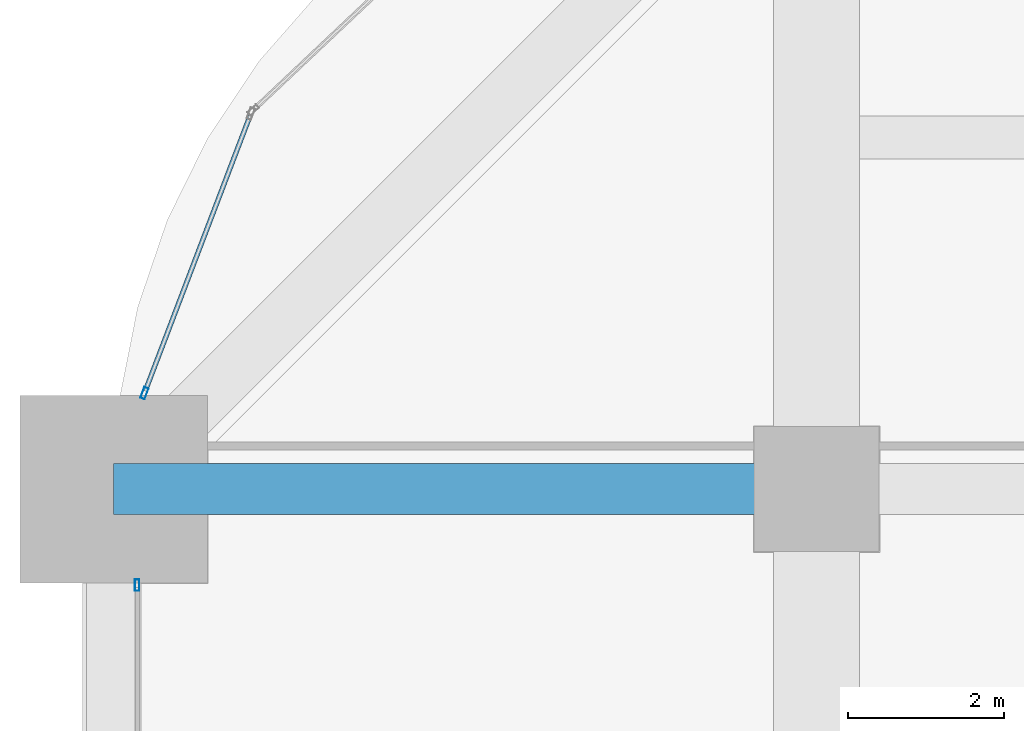
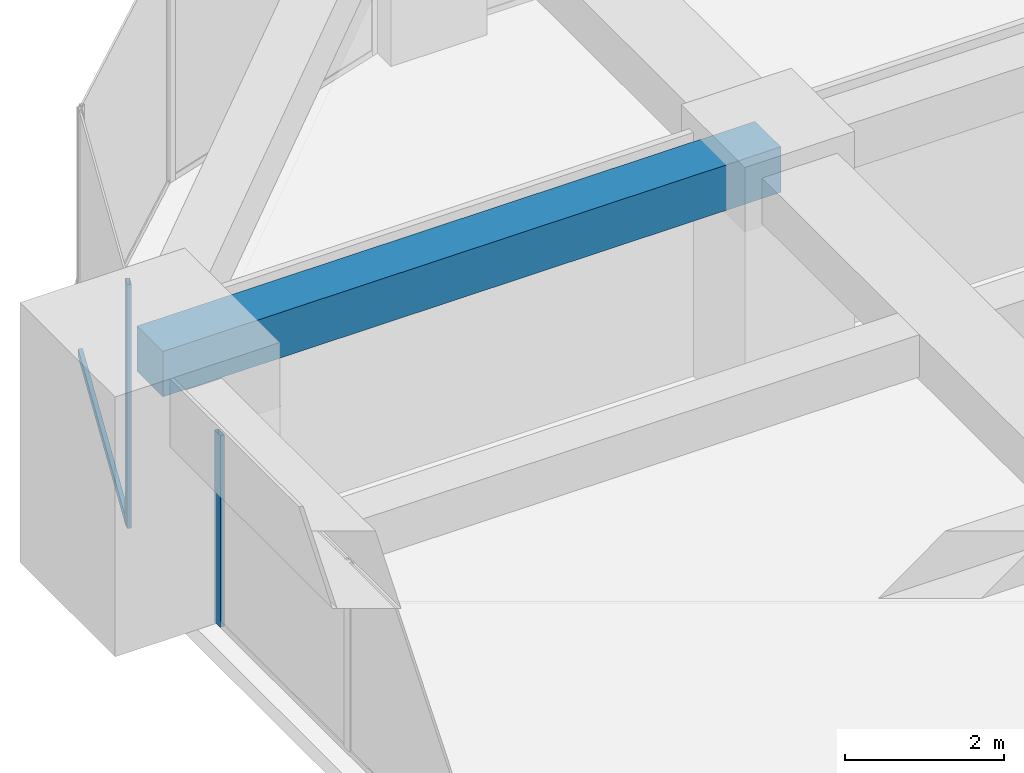
# One storey, part 20 of 34: 3 members, 1 beam, 2 elements without a shape of their own.
"""IFC4 building model written with IfcOpenShell, lengths in metres."""

import ifcopenshell
import ifcopenshell.guid

model = None  # the IFC model being written
_history = None  # IfcOwnerHistory: only IFC2X3 demands one
_inside = {}  # id of a spatial element -> (the spatial element, [elements in it])
_under = {}  # id of a project, library or spatial element -> (it, [spatial elements below it])
_declared = {}  # id of a project -> (the project, [libraries it declares])
_typed = {}  # id of a type object -> (the type object, [elements of that type])
_made_of = {}  # id of a material, layer set ... -> (it, [elements and type objects made of it])


def new_model(schema):
    """Start an empty IFC model of exactly this schema.

    Asked for "IFC4X3", IfcOpenShell would pick the latest addendum, in which some entities
    have other attributes; the version numbers below select the first issue.
    IFC2X3 requires an IfcOwnerHistory on every rooted entity: one is made here for all.
    """
    global model, _history
    if schema == "IFC4X3":
        model = ifcopenshell.file(schema_version=(4, 3, 0, 0))
    else:
        model = ifcopenshell.file(schema=schema)
    _inside.clear()
    _under.clear()
    _declared.clear()
    _typed.clear()
    _made_of.clear()
    _history = None
    if model.schema == "IFC2X3":
        org = make("IfcOrganization", Name="unknown")
        user = make(
            "IfcPersonAndOrganization",
            ThePerson=make("IfcPerson", FamilyName="unknown"),
            TheOrganization=org,
        )
        app = make(
            "IfcApplication",
            ApplicationDeveloper=org,
            Version="unknown",
            ApplicationFullName="unknown",
            ApplicationIdentifier="unknown",
        )
        _history = make(
            "IfcOwnerHistory",
            OwningUser=user,
            OwningApplication=app,
            ChangeAction="ADDED",
            CreationDate=0,
        )
    return model


def make(cls, **values):
    """One entity of the class cls with the attributes given. An attribute that is None is left unset."""
    return model.create_entity(
        cls, **{name: value for name, value in values.items() if value is not None}
    )


def rooted(cls, **values):
    """An entity with a GlobalId (a new one), such as an element, a storey or a relation."""
    return make(cls, GlobalId=ifcopenshell.guid.new(), OwnerHistory=_history, **values)


def si_unit(unit_type, name, prefix=None):
    """IfcSIUnit, for example si_unit("LENGTHUNIT", "METRE", prefix="MILLI")."""
    return make("IfcSIUnit", UnitType=unit_type, Prefix=prefix, Name=name)


def assignment(units):
    """IfcUnitAssignment: the units of a project."""
    return None if units is None else make("IfcUnitAssignment", Units=units)


def point(xyz):
    """IfcCartesianPoint."""
    return None if xyz is None else make("IfcCartesianPoint", Coordinates=xyz)


def direction(xyz):
    """IfcDirection."""
    return None if xyz is None else make("IfcDirection", DirectionRatios=xyz)


def frame(location, z_axis=None, x_axis=None):
    """IfcAxis2Placement3D, a coordinate frame: its origin and axes. An axis left out is left unset."""
    return make(
        "IfcAxis2Placement3D",
        Location=point(location),
        Axis=direction(z_axis),
        RefDirection=direction(x_axis),
    )


def frame_2d(location, x_axis=None):
    """IfcAxis2Placement2D, a coordinate frame in the plane: its origin and x axis."""
    return make(
        "IfcAxis2Placement2D", Location=point(location), RefDirection=direction(x_axis)
    )


def origin():
    """The frame at (0, 0, 0) with its axes left unset."""
    return frame((0.0, 0.0, 0.0))


def origin_2d():
    """The frame at (0, 0) in the plane with its x axis left unset."""
    return frame_2d((0.0, 0.0))


def place(relative_to, where):
    """IfcLocalPlacement: puts the frame where relative to a parent placement (None: the world)."""
    return make(
        "IfcLocalPlacement", PlacementRelTo=relative_to, RelativePlacement=where
    )


def context(
    kind, dimensions, precision=None, world=None, true_north=None, identifier=None
):
    """IfcGeometricRepresentationContext, for example the 3D "Model" context."""
    return make(
        "IfcGeometricRepresentationContext",
        ContextIdentifier=identifier,
        ContextType=kind,
        CoordinateSpaceDimension=dimensions,
        Precision=precision,
        WorldCoordinateSystem=world,
        TrueNorth=true_north,
    )


def subcontext(parent, identifier, kind, view, scale=None):
    """IfcGeometricRepresentationSubContext, for example "Body" below "Model"."""
    return make(
        "IfcGeometricRepresentationSubContext",
        ContextIdentifier=identifier,
        ContextType=kind,
        ParentContext=parent,
        TargetScale=scale,
        TargetView=view,
    )


def project(units=None, contexts=None):
    """IfcProject with its units and contexts."""
    return rooted(
        "IfcProject",
        Name="project",
        RepresentationContexts=contexts,
        UnitsInContext=assignment(units),
    )


def spatial(cls, under=None, at=None, **own):
    """A site, building, storey or space (cls), placed at a placement, below another one or the project."""
    s = rooted(cls, ObjectPlacement=at, **own)
    if under is not None:
        _under.setdefault(under.id(), (under, []))[1].append(s)
    return s


def profile(cls, at=None, kind="AREA", **sizes):
    """A parametric profile (cls). Its sizes go by their IFC names, for example OverallWidth=200.0."""
    return make(cls, ProfileType=kind, Position=at, **sizes)


def rectangle(**sizes):
    """IfcRectangleProfileDef."""
    return profile("IfcRectangleProfileDef", **sizes)


def hollow_rectangle(**sizes):
    """IfcRectangleHollowProfileDef."""
    return profile("IfcRectangleHollowProfileDef", **sizes)


def extrude(swept, where, along, depth):
    """IfcExtrudedAreaSolid: the profile swept, set in the frame where, extruded along a direction by depth."""
    return make(
        "IfcExtrudedAreaSolid",
        SweptArea=swept,
        Position=where,
        ExtrudedDirection=direction(along),
        Depth=depth,
    )


def shape(context_of_items, identifier, shape_type, items):
    """IfcShapeRepresentation: the items that make up one representation, for example the "Body"."""
    return make(
        "IfcShapeRepresentation",
        ContextOfItems=context_of_items,
        RepresentationIdentifier=identifier,
        RepresentationType=shape_type,
        Items=items,
    )


def material(Name=None, Category=None):
    """IfcMaterial."""
    return make("IfcMaterial", Name=Name, Category=Category)


def material_profile(
    of_material, cross_section, Name=None, Category=None, Priority=None
):
    """IfcMaterialProfile: a cross section and its material."""
    return make(
        "IfcMaterialProfile",
        Name=Name,
        Material=of_material,
        Profile=cross_section,
        Priority=Priority,
        Category=Category,
    )


def profile_set(profiles, Name=None, composite=None):
    """IfcMaterialProfileSet."""
    return make(
        "IfcMaterialProfileSet",
        Name=Name,
        MaterialProfiles=profiles,
        CompositeProfile=composite,
    )


def made_of(thing, what):
    """Note that an element or type object is made of a material, layer set ...; save() writes the relation."""
    if what is not None:
        _made_of.setdefault(what.id(), (what, []))[1].append(thing)
    return thing


def type_object(cls, material=None, **own):
    """A type object (cls), such as IfcWallType, which elements share."""
    return made_of(rooted(cls, **own), material)


def element(
    cls,
    number,
    at=None,
    inside=None,
    cuts=None,
    type_object=None,
    material=None,
    context=None,
    identifier="Body",
    shape_type=None,
    held_by="IfcProductDefinitionShape",
    body=None,
    shapes=None,
    **own,
):
    """One element of the class cls, such as IfcWall. Its Tag is "e" and its number.

    at: its placement. inside: the storey or other place that contains it. cuts: it is an
    opening in that element (IfcRelVoidsElement). A single representation is given by context,
    identifier, shape_type and body (its items); several are given by shapes. held_by: the class
    of the entity that holds the representations. save() writes the other relations.
    """
    e = rooted(cls, Tag="e%d" % number, ObjectPlacement=at, **own)
    if body is not None:
        shapes = [shape(context, identifier, shape_type, body)]
    if shapes is not None:
        e.Representation = make(held_by, Representations=shapes)
    if inside is not None:
        _inside.setdefault(inside.id(), (inside, []))[1].append(e)
    if cuts is not None:
        rooted(
            "IfcRelVoidsElement", RelatingBuildingElement=cuts, RelatedOpeningElement=e
        )
    if type_object is not None:
        _typed.setdefault(type_object.id(), (type_object, []))[1].append(e)
    return made_of(e, material)


def aggregate(whole, parts):
    """IfcRelAggregates: a whole, such as a stair, and the parts it consists of."""
    return rooted("IfcRelAggregates", RelatingObject=whole, RelatedObjects=parts)


def save(model, path):
    """Write the relations noted so far, then the file.

    IfcRelAggregates (storeys below a building ...), IfcRelContainedInSpatialStructure (elements
    in a storey), IfcRelDefinesByType, IfcRelAssociatesMaterial and IfcRelDeclares: one each for
    every whole, place, type object, material and project.
    """
    for whole, parts in _under.values():
        aggregate(whole, parts)
    for where, things in _inside.values():
        rooted(
            "IfcRelContainedInSpatialStructure",
            RelatedElements=things,
            RelatingStructure=where,
        )
    for kind, things in _typed.values():
        rooted("IfcRelDefinesByType", RelatedObjects=things, RelatingType=kind)
    for what, things in _made_of.values():
        rooted("IfcRelAssociatesMaterial", RelatedObjects=things, RelatingMaterial=what)
    for by, libraries in _declared.values():
        rooted("IfcRelDeclares", RelatingContext=by, RelatedDefinitions=libraries)
    model.write(path)


model = new_model("IFC4")

# Units and contexts
model_context = context("Model", 3, precision=1e-05, world=origin(), true_north=direction((0.0, 1.0)))
body_context = subcontext(model_context, "Body", "Model", "MODEL_VIEW")
ifc_project = project(units=[si_unit("LENGTHUNIT", "METRE"), si_unit("AREAUNIT", "SQUARE_METRE"), si_unit("VOLUMEUNIT", "CUBIC_METRE"), si_unit("PLANEANGLEUNIT", "RADIAN"), si_unit("MASSUNIT", "GRAM", prefix="KILO")], contexts=[model_context])

# Site, building, storey
site_placement = place(None, origin())
site = spatial("IfcSite", under=ifc_project, at=site_placement, CompositionType="ELEMENT")
building_placement = place(site_placement, origin())
building = spatial("IfcBuilding", under=site, at=building_placement, Name="Zorevar Civic Tower", CompositionType="ELEMENT")
storey_placement = place(building_placement, frame((0.0, 0.0, 174.199951171875)))
storey = spatial("IfcBuildingStorey", under=building, at=storey_placement, Name="L42", CompositionType="ELEMENT", Elevation=174.199951171875)

# Beam
ifc_material_1 = material(Name="Concrete C50/60", Category="concrete")
ifc_material_profile_1 = material_profile(ifc_material_1, rectangle(XDim=0.64990234375, YDim=0.699951171875, at=origin_2d()), Name="RC 650x700")
ifc_profile_set_1 = profile_set([ifc_material_profile_1], Name="Concrete C50/60")
beam_type = type_object("IfcBeamType", Name="Beam RC 650x700", PredefinedType="BEAM", material=ifc_profile_set_1)
beam_placement = place(storey_placement, frame((0.0, 36.0, 3.400146484375), z_axis=(1.0, 0.0, 0.0), x_axis=(0.0, 1.0, 0.0)))
element("IfcBeam", 1, at=beam_placement, inside=storey, type_object=beam_type, Name="Girder L43", PredefinedType="BEAM", context=body_context, shape_type="SweptSolid", body=[
    extrude(rectangle(XDim=0.64990234375, YDim=0.699951171875, at=origin_2d()), origin(), (0.0, 0.0, 1.0), 9.0),
])

# Curtain wall, member
ifc_material_2 = material(Name="Dark grey solar-control glass in black aluminium frame", Category="aluminium")
curtain_wall_type = type_object("IfcCurtainWallType", Name="Curtain wall CW4 high zone", PredefinedType="NOTDEFINED", material=ifc_material_2)
curtain_wall_1_placement = place(storey_placement, origin())
curtain_wall_1 = element("IfcCurtainWall", 2, at=curtain_wall_1_placement, inside=storey, type_object=curtain_wall_type, Name="CW4 L42", PredefinedType="NOTDEFINED")
ifc_material_3 = material(Name="Aluminium, black anodised", Category="aluminium")
ifc_material_profile_2 = material_profile(ifc_material_3, hollow_rectangle(XDim=0.06005859375, YDim=0.14990234375, WallThickness=0.00390625, at=origin_2d()), Name="AL 150x60x4")
ifc_profile_set_2 = profile_set([ifc_material_profile_2], Name="Aluminium, black anodised")
member_type_1 = type_object("IfcMemberType", Name="CW4 mullion AL 150x60x4", PredefinedType="MULLION", material=ifc_profile_set_2)
member_1_placement = place(storey_placement, frame((0.300048828125, 34.77001953125, 0.0), z_axis=(0.0, 0.0, 1.0), x_axis=(-1.0, 0.0, 0.0)))
member_1 = element("IfcMember", 3, at=member_1_placement, type_object=member_type_1, Name="CW4 mullion 3", PredefinedType="MULLION", context=body_context, shape_type="SweptSolid", body=[
    extrude(hollow_rectangle(XDim=0.06005859375, YDim=0.14990234375, WallThickness=0.00390625, at=origin_2d()), origin(), (0.0, 0.0, 1.0), 2.949951171875),
])
aggregate(curtain_wall_1, [member_1])

# Curtain wall, members
curtain_wall_2_placement = place(storey_placement, origin())
curtain_wall_2 = element("IfcCurtainWall", 4, at=curtain_wall_2_placement, inside=storey, type_object=curtain_wall_type, Name="CW4 L42", PredefinedType="NOTDEFINED")
member_2_placement = place(storey_placement, frame((0.393798828125, 37.22802734375, 0.0), z_axis=(0.0, 0.0, 1.0), x_axis=(0.93458842801, -0.355730895803, 0.0)))
member_2 = element("IfcMember", 5, at=member_2_placement, type_object=member_type_1, Name="CW4 mullion 2", PredefinedType="MULLION", context=body_context, shape_type="SweptSolid", body=[
    extrude(hollow_rectangle(XDim=0.06005859375, YDim=0.14990234375, WallThickness=0.00390625, at=origin_2d()), origin(), (0.0, 0.0, 1.0), 3.75),
])
ifc_material_4 = material(Name="Aluminium, black anodised", Category="aluminium")
ifc_material_profile_3 = material_profile(ifc_material_4, hollow_rectangle(XDim=0.06005859375, YDim=0.1201171875, WallThickness=0.0029296875, at=origin_2d()), Name="AL 120x60x3")
ifc_profile_set_3 = profile_set([ifc_material_profile_3], Name="Aluminium, black anodised")
member_type_2 = type_object("IfcMemberType", Name="CW4 transom AL 120x60x3", PredefinedType="USERDEFINED", material=ifc_profile_set_3)
member_3_placement = place(storey_placement, frame((1.74462890625, 40.77685546875, 0.030029296875), z_axis=(-0.355728511406, -0.934589335576, 0.0), x_axis=(0.934589335576, -0.355728511406, 0.0)))
member_3 = element("IfcMember", 6, at=member_3_placement, type_object=member_type_2, Name="CW4 sill transom", ObjectType="TRANSOM", PredefinedType="USERDEFINED", context=body_context, shape_type="SweptSolid", body=[
    extrude(hollow_rectangle(XDim=0.06005859375, YDim=0.1201171875, WallThickness=0.0029296875, at=origin_2d()), origin(), (0.0, 0.0, 1.0), 3.76708984375),
])
aggregate(curtain_wall_2, [member_2, member_3])

save(model, "model.ifc")
